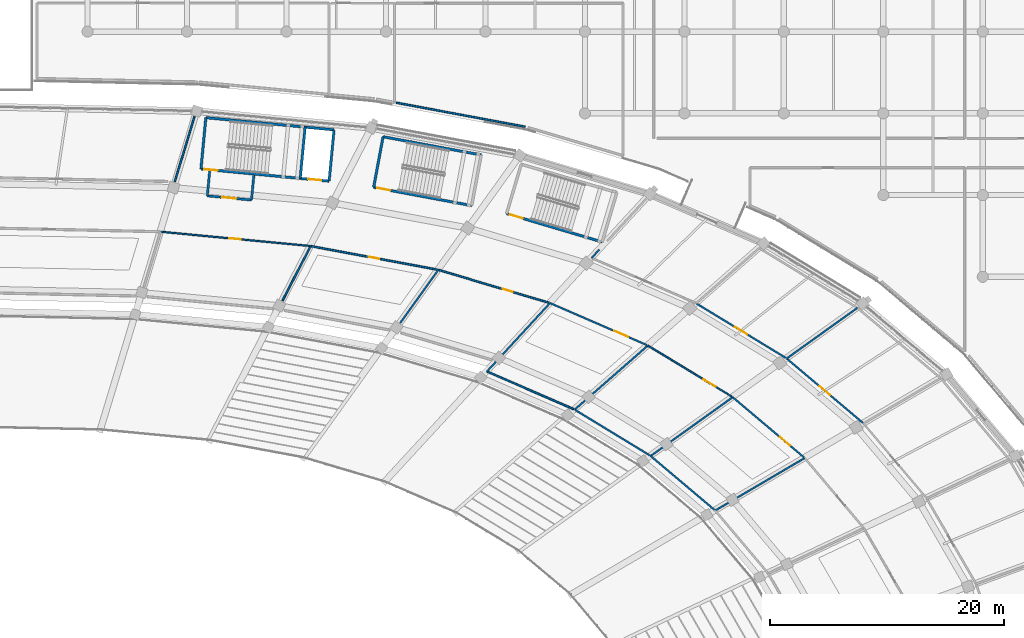
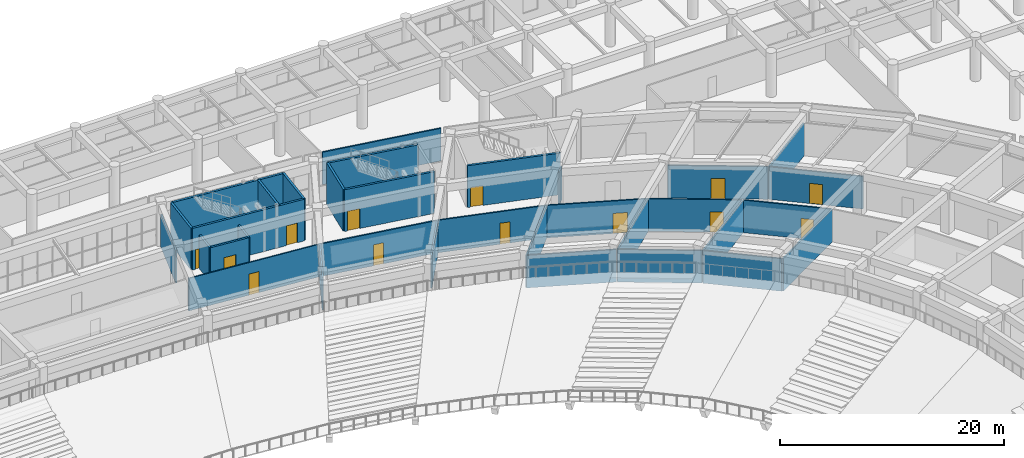
# One storey, part 114 of 152: 33 walls, 13 doors, 13 openings.
"""IFC4 building model written with IfcOpenShell, lengths in metres."""

from ifc_helpers import new_model, si_unit, direction, frame, frame_2d, origin, place, context, subcontext, project, spatial, rectangle, extrude, material, layer, layer_set, type_object, element, fill, save


model = new_model("IFC4")

# Units and contexts
model_context = context("Model", 3, precision=1e-05, world=origin(), true_north=direction((0.0, 1.0)))
body_context = subcontext(model_context, "Body", "Model", "MODEL_VIEW")
ifc_project = project(units=[si_unit("LENGTHUNIT", "METRE"), si_unit("AREAUNIT", "SQUARE_METRE"), si_unit("VOLUMEUNIT", "CUBIC_METRE"), si_unit("PLANEANGLEUNIT", "RADIAN"), si_unit("MASSUNIT", "GRAM", prefix="KILO")], contexts=[model_context])

# Site, building, storey
site_placement = place(None, origin())
site = spatial("IfcSite", under=ifc_project, at=site_placement, CompositionType="ELEMENT")
building_placement = place(site_placement, origin())
building = spatial("IfcBuilding", under=site, at=building_placement, Name="Mphavela Belvedere Stadium", CompositionType="ELEMENT")
storey_placement = place(building_placement, frame((0.0, 0.0, 5.39990234375)))
storey = spatial("IfcBuildingStorey", under=building, at=storey_placement, Name="L01", CompositionType="ELEMENT", Elevation=5.39990234375)

# Walls
ifc_material_1 = material(Name="Concrete C40/50", Category="concrete")
ifc_layer_1 = layer(ifc_material_1, 0.219970703125)
ifc_layer_set_1 = layer_set([ifc_layer_1], Name="Concrete C40/50")
wall_type_1 = type_object("IfcWallType", Name="WAL-CORE-SHEAR-220", PredefinedType="SHEAR", material=ifc_layer_set_1)
wall_1_placement = place(storey_placement, frame((137.908935546875, 159.633544921875, 0.0), z_axis=(0.0, 0.0, 1.0), x_axis=(0.99547962713, -0.094975322952, 0.0)))
element("IfcWall", 1, at=wall_1_placement, inside=storey, type_object=wall_type_1, Name="Core C03 shear wall L01 rear", PredefinedType="SHEAR", context=body_context, shape_type="SweptSolid", body=[
    extrude(rectangle(XDim=11.02001953125, YDim=0.219970703125, at=frame_2d((5.510009765625, 0.0))), origin(), (0.0, 0.0, 1.0), 4.550048828125),
])
wall_2_placement = place(storey_placement, frame((137.489990234375, 155.243408203125, 0.0), z_axis=(0.0, 0.0, 1.0), x_axis=(0.094997189401, 0.995477540684, 0.0)))
element("IfcWall", 2, at=wall_2_placement, inside=storey, type_object=wall_type_1, Name="Core C03 shear wall L01 left", PredefinedType="SHEAR", context=body_context, shape_type="SweptSolid", body=[
    extrude(rectangle(XDim=4.41015625, YDim=0.219970703125, at=frame_2d((2.205078125, 0.0))), origin(), (0.0, 0.0, 1.0), 4.550048828125),
])
wall_3_placement = place(storey_placement, frame((148.460205078125, 154.197021484375, 0.0), z_axis=(0.0, 0.0, 1.0), x_axis=(0.095002424918, 0.995477041051, 0.0)))
element("IfcWall", 3, at=wall_3_placement, inside=storey, type_object=wall_type_1, Name="Core C03 shear wall L01 right", PredefinedType="SHEAR", context=body_context, shape_type="SweptSolid", body=[
    extrude(rectangle(XDim=4.409912109375, YDim=0.219970703125, at=frame_2d((2.205078125, 0.0))), origin(), (0.0, 0.0, 1.0), 4.550048828125),
])

# Wall, openings, doors
wall_4_placement = place(storey_placement, frame((137.489990234375, 155.243408203125, 0.0), z_axis=(0.0, 0.0, 1.0), x_axis=(0.995481721489, -0.094953368458, 0.0)))
wall_4 = element("IfcWall", 4, at=wall_4_placement, inside=storey, type_object=wall_type_1, Name="Core C03 shear wall L01 front", PredefinedType="SHEAR", context=body_context, shape_type="SweptSolid", body=[
    extrude(rectangle(XDim=11.02001953125, YDim=0.219970703125, at=frame_2d((5.510009765625, 0.0))), origin(), (0.0, 0.0, 1.0), 4.550048828125),
])
opening_1_placement = place(wall_4_placement, frame((0.300048828125, 0.0, 0.0)))
opening_1 = element("IfcOpeningElement", 5, at=opening_1_placement, cuts=wall_4, Name="Opening SD-012", PredefinedType="OPENING", context=body_context, shape_type="SweptSolid", body=[
    extrude(rectangle(XDim=1.14990234375, YDim=2.14990234375, at=frame_2d((0.574951171875, 1.074951171875))), frame((0.0, 0.1201171875, 0.0), z_axis=(0.0, -1.0, 0.0), x_axis=(1.0, 0.0, 0.0)), (0.0, 0.0, 1.0), 0.239990234375),
])
opening_2_placement = place(wall_4_placement, frame((9.22998046875, 0.0, 0.0)))
opening_2 = element("IfcOpeningElement", 6, at=opening_2_placement, cuts=wall_4, Name="Opening LD-012", PredefinedType="OPENING", context=body_context, shape_type="SweptSolid", body=[
    extrude(rectangle(XDim=1.10009765625, YDim=2.14990234375, at=frame_2d((0.550048828125, 1.074951171875))), frame((0.0, 0.1201171875, 0.0), z_axis=(0.0, -1.0, 0.0), x_axis=(1.0, 0.0, 0.0)), (0.0, 0.0, 1.0), 0.239990234375),
])
ifc_material_2 = material(Name="Stainless steel center-parting lift landing door", Category="steel")
door_type_1 = type_object("IfcDoorType", Name="DR-LIFT-SLIDE-1100", OperationType="NOTDEFINED", PredefinedType="DOOR", material=ifc_material_2)
door_1_placement = place(opening_2_placement, origin())
door_1 = element("IfcDoor", 7, at=door_1_placement, inside=storey, type_object=door_type_1, Name="Lift landing sliding door FL02 L01", OperationType="DOUBLE_DOOR_SLIDING", OverallHeight=2.14990234375, OverallWidth=1.10009765625, PredefinedType="DOOR", context=body_context, shape_type="SweptSolid", body=[
    extrude(rectangle(XDim=1.10009765625, YDim=2.14990234375, at=frame_2d((0.550048828125, 1.074951171875))), frame((0.0, 0.02490234375, 0.0), z_axis=(0.0, -1.0, 0.0), x_axis=(1.0, 0.0, 0.0)), (0.0, 0.0, 1.0), 0.050048828125),
])
fill(opening_2, door_1)
ifc_material_3 = material(Name="Steel acoustic fire-resisting stair doorset", Category="steel")
door_type_2 = type_object("IfcDoorType", Name="DR-STAIR-FIRE-1150", OperationType="NOTDEFINED", PredefinedType="DOOR", material=ifc_material_3)
door_2_placement = place(opening_1_placement, origin())
door_2 = element("IfcDoor", 8, at=door_2_placement, inside=storey, type_object=door_type_2, Name="Escape stair fire door C03 L01", OperationType="SINGLE_SWING_RIGHT", OverallHeight=2.14990234375, OverallWidth=1.14990234375, PredefinedType="DOOR", context=body_context, shape_type="SweptSolid", body=[
    extrude(rectangle(XDim=1.14990234375, YDim=2.14990234375, at=frame_2d((0.574951171875, 1.074951171875))), frame((0.0, 0.02490234375, 0.0), z_axis=(0.0, -1.0, 0.0), x_axis=(1.0, 0.0, 0.0)), (0.0, 0.0, 1.0), 0.050048828125),
])
fill(opening_1, door_2)

# Wall
wall_5_placement = place(storey_placement, frame((145.991455078125, 154.432373046875, 0.0), z_axis=(0.0, 0.0, 1.0), x_axis=(0.094997189401, 0.995477540684, 0.0)))
element("IfcWall", 9, at=wall_5_placement, inside=storey, type_object=wall_type_1, Name="Core C03 shear wall L01 div", PredefinedType="SHEAR", context=body_context, shape_type="SweptSolid", body=[
    extrude(rectangle(XDim=4.41015625, YDim=0.219970703125, at=frame_2d((2.205078125, 0.0))), origin(), (0.0, 0.0, 1.0), 4.550048828125),
])

# Wall, opening, door
wall_6_placement = place(storey_placement, frame((163.6630859375, 151.416015625, 0.0), z_axis=(0.0, 0.0, 1.0), x_axis=(0.958665631999, -0.284535069937, 0.0)))
wall_6 = element("IfcWall", 10, at=wall_6_placement, inside=storey, type_object=wall_type_1, Name="Core P01 shear wall L01 front", PredefinedType="SHEAR", context=body_context, shape_type="SweptSolid", body=[
    extrude(rectangle(XDim=8.5400390625, YDim=0.219970703125, at=frame_2d((4.27001953125, 0.0))), origin(), (0.0, 0.0, 1.0), 4.550048828125),
])
opening_3_placement = place(wall_6_placement, frame((0.300048828125, 0.0, 0.0)))
opening_3 = element("IfcOpeningElement", 11, at=opening_3_placement, cuts=wall_6, Name="Opening SD-068", PredefinedType="OPENING", context=body_context, shape_type="SweptSolid", body=[
    extrude(rectangle(XDim=1.14990234375, YDim=2.14990234375, at=frame_2d((0.574951171875, 1.074951171875))), frame((0.0, 0.1201171875, 0.0), z_axis=(0.0, -1.0, 0.0), x_axis=(1.0, 0.0, 0.0)), (0.0, 0.0, 1.0), 0.239990234375),
])
door_3_placement = place(opening_3_placement, origin())
door_3 = element("IfcDoor", 12, at=door_3_placement, inside=storey, type_object=door_type_2, Name="Escape stair fire door P01 L01", OperationType="SINGLE_SWING_RIGHT", OverallHeight=2.14990234375, OverallWidth=1.14990234375, PredefinedType="DOOR", context=body_context, shape_type="SweptSolid", body=[
    extrude(rectangle(XDim=1.14990234375, YDim=2.14990234375, at=frame_2d((0.574951171875, 1.074951171875))), frame((0.0, 0.02490234375, 0.0), z_axis=(0.0, -1.0, 0.0), x_axis=(1.0, 0.0, 0.0)), (0.0, 0.0, 1.0), 0.050048828125),
])
fill(opening_3, door_3)

# Walls
wall_7_placement = place(storey_placement, frame((153.0859375, 158.00146484375, 0.0), z_axis=(0.0, 0.0, 1.0), x_axis=(0.983097993869, -0.18308013123, 0.0)))
element("IfcWall", 13, at=wall_7_placement, inside=storey, type_object=wall_type_1, Name="Core P02 shear wall L01 rear", PredefinedType="SHEAR", context=body_context, shape_type="SweptSolid", body=[
    extrude(rectangle(XDim=8.539794921875, YDim=0.219970703125, at=frame_2d((4.27001953125, 0.0))), origin(), (0.0, 0.0, 1.0), 4.550048828125),
])
wall_8_placement = place(storey_placement, frame((152.278564453125, 153.666015625, 0.0), z_axis=(0.0, 0.0, 1.0), x_axis=(0.183078394814, 0.983098317236, 0.0)))
element("IfcWall", 14, at=wall_8_placement, inside=storey, type_object=wall_type_1, Name="Core P02 shear wall L01 left", PredefinedType="SHEAR", context=body_context, shape_type="SweptSolid", body=[
    extrude(rectangle(XDim=4.409912109375, YDim=0.219970703125, at=frame_2d((2.205078125, 0.0))), origin(), (0.0, 0.0, 1.0), 4.550048828125),
])

# Wall, opening, door
wall_9_placement = place(storey_placement, frame((152.278564453125, 153.666015625, 0.0), z_axis=(0.0, 0.0, 1.0), x_axis=(0.983097993869, -0.18308013123, 0.0)))
wall_9 = element("IfcWall", 15, at=wall_9_placement, inside=storey, type_object=wall_type_1, Name="Core P02 shear wall L01 front", PredefinedType="SHEAR", context=body_context, shape_type="SweptSolid", body=[
    extrude(rectangle(XDim=8.539794921875, YDim=0.219970703125, at=frame_2d((4.27001953125, 0.0))), origin(), (0.0, 0.0, 1.0), 4.550048828125),
])
opening_4_placement = place(wall_9_placement, frame((0.300048828125, 0.0, 0.0)))
opening_4 = element("IfcOpeningElement", 16, at=opening_4_placement, cuts=wall_9, Name="Opening SD-073", PredefinedType="OPENING", context=body_context, shape_type="SweptSolid", body=[
    extrude(rectangle(XDim=1.14990234375, YDim=2.14990234375, at=frame_2d((0.574951171875, 1.074951171875))), frame((0.0, 0.1201171875, 0.0), z_axis=(0.0, -1.0, 0.0), x_axis=(1.0, 0.0, 0.0)), (0.0, 0.0, 1.0), 0.239990234375),
])
door_4_placement = place(opening_4_placement, origin())
door_4 = element("IfcDoor", 17, at=door_4_placement, inside=storey, type_object=door_type_2, Name="Escape stair fire door P02 L01", OperationType="SINGLE_SWING_LEFT", OverallHeight=2.14990234375, OverallWidth=1.14990234375, PredefinedType="DOOR", context=body_context, shape_type="SweptSolid", body=[
    extrude(rectangle(XDim=1.14990234375, YDim=2.14990234375, at=frame_2d((0.574951171875, 1.074951171875))), frame((0.0, 0.02490234375, 0.0), z_axis=(0.0, -1.0, 0.0), x_axis=(1.0, 0.0, 0.0)), (0.0, 0.0, 1.0), 0.050048828125),
])
fill(opening_4, door_4)

ifc_material_4 = material(Name="Moisture-resistant sanitary partition assembly")
ifc_layer_2 = layer(ifc_material_4, 0.125)
ifc_layer_set_2 = layer_set([ifc_layer_2], Name="Moisture-resistant sanitary partition assembly")
wall_type_2 = type_object("IfcWallType", Name="WAL-PART-125", PredefinedType="PARTITIONING", material=ifc_layer_set_2)
wall_10_placement = place(storey_placement, frame((175.762939453125, 140.115966796875, 0.0), z_axis=(0.0, 0.0, 1.0), x_axis=(0.854330104408, -0.519730769439, 0.0)))
wall_10 = element("IfcWall", 18, at=wall_10_placement, inside=storey, type_object=wall_type_2, Name="Room L01-51 corridor partition", PredefinedType="PARTITIONING", context=body_context, shape_type="SweptSolid", body=[
    extrude(rectangle(XDim=8.420166015625, YDim=0.125, at=frame_2d((4.2099609375, 0.0))), origin(), (0.0, 0.0, 1.0), 3.550048828125),
])
opening_5_placement = place(wall_10_placement, frame((5.568115234375, 0.0, 0.0)))
opening_5 = element("IfcOpeningElement", 19, at=opening_5_placement, cuts=wall_10, Name="Opening ID-093", PredefinedType="OPENING", context=body_context, shape_type="SweptSolid", body=[
    extrude(rectangle(XDim=1.219970703125, YDim=2.199951171875, at=frame_2d((0.60986328125, 1.10009765625))), frame((0.0, 0.072509765625, 0.0), z_axis=(0.0, -1.0, 0.0), x_axis=(1.0, 0.0, 0.0)), (0.0, 0.0, 1.0), 0.14501953125),
])
ifc_material_5 = material(Name="Hardwood acoustic timber doorset", Category="wood")
door_type_3 = type_object("IfcDoorType", Name="DR-INT-21", OperationType="NOTDEFINED", PredefinedType="DOOR", material=ifc_material_5)
door_5_placement = place(opening_5_placement, origin())
door_5 = element("IfcDoor", 20, at=door_5_placement, inside=storey, type_object=door_type_3, Name="Room L01-51 entrance door ID-093", OperationType="SINGLE_SWING_LEFT", OverallHeight=2.199951171875, OverallWidth=1.219970703125, PredefinedType="DOOR", context=body_context, shape_type="SweptSolid", body=[
    extrude(rectangle(XDim=1.219970703125, YDim=2.199951171875, at=frame_2d((0.60986328125, 1.10009765625))), frame((0.0, 0.02490234375, 0.0), z_axis=(0.0, -1.0, 0.0), x_axis=(1.0, 0.0, 0.0)), (0.0, 0.0, 1.0), 0.050048828125),
])
fill(opening_5, door_5)

wall_11_placement = place(storey_placement, frame((134.034912109375, 149.8623046875, 0.0), z_axis=(0.0, 0.0, 1.0), x_axis=(0.995485111947, -0.094917816515, 0.0)))
wall_11 = element("IfcWall", 21, at=wall_11_placement, inside=storey, type_object=wall_type_2, Name="Room L01-61 corridor partition", PredefinedType="PARTITIONING", context=body_context, shape_type="SweptSolid", body=[
    extrude(rectangle(XDim=12.822021484375, YDim=0.125, at=frame_2d((6.4111328125, 0.0))), origin(), (0.0, 0.0, 1.0), 3.550048828125),
])
opening_6_placement = place(wall_11_placement, frame((5.9208984375, 0.0, 0.0)))
opening_6 = element("IfcOpeningElement", 22, at=opening_6_placement, cuts=wall_11, Name="Opening ID-099", PredefinedType="OPENING", context=body_context, shape_type="SweptSolid", body=[
    extrude(rectangle(XDim=0.97998046875, YDim=2.300048828125, at=frame_2d((0.489990234375, 1.14990234375))), frame((0.0, 0.072509765625, 0.0), z_axis=(0.0, -1.0, 0.0), x_axis=(1.0, 0.0, 0.0)), (0.0, 0.0, 1.0), 0.14501953125),
])
ifc_material_6 = material(Name="Hardwood acoustic timber doorset", Category="wood")
door_type_4 = type_object("IfcDoorType", Name="DR-INT-27", OperationType="NOTDEFINED", PredefinedType="DOOR", material=ifc_material_6)
door_6_placement = place(opening_6_placement, origin())
door_6 = element("IfcDoor", 23, at=door_6_placement, inside=storey, type_object=door_type_4, Name="Room L01-61 entrance door ID-099", OperationType="SINGLE_SWING_LEFT", OverallHeight=2.300048828125, OverallWidth=0.97998046875, PredefinedType="DOOR", context=body_context, shape_type="SweptSolid", body=[
    extrude(rectangle(XDim=0.97998046875, YDim=2.300048828125, at=frame_2d((0.489990234375, 1.14990234375))), frame((0.0, 0.02490234375, 0.0), z_axis=(0.0, -1.0, 0.0), x_axis=(1.0, 0.0, 0.0)), (0.0, 0.0, 1.0), 0.050048828125),
])
fill(opening_6, door_6)

ifc_material_7 = material(Name="Acoustic gypsum stud partition assembly")
ifc_layer_3 = layer(ifc_material_7, 0.14990234375)
ifc_layer_set_3 = layer_set([ifc_layer_3], Name="Acoustic gypsum stud partition assembly")
wall_type_3 = type_object("IfcWallType", Name="WAL-PART-150", PredefinedType="PARTITIONING", material=ifc_layer_set_3)
wall_12_placement = place(storey_placement, frame((183.027099609375, 135.69189453125, 0.0), z_axis=(0.0, 0.0, 1.0), x_axis=(0.764249122867, -0.644921141068, 0.0)))
wall_12 = element("IfcWall", 24, at=wall_12_placement, inside=storey, type_object=wall_type_3, Name="Room L01-48 corridor partition", PredefinedType="PARTITIONING", context=body_context, shape_type="SweptSolid", body=[
    extrude(rectangle(XDim=7.989501953125, YDim=0.14990234375, at=frame_2d((3.99462890625, 0.0))), origin(), (0.0, 0.0, 1.0), 3.550048828125),
])
opening_7_placement = place(wall_12_placement, frame((5.28759765625, 0.0, 0.0)))
opening_7 = element("IfcOpeningElement", 25, at=opening_7_placement, cuts=wall_12, Name="Opening ID-091", PredefinedType="OPENING", context=body_context, shape_type="SweptSolid", body=[
    extrude(rectangle(XDim=1.139892578125, YDim=2.199951171875, at=frame_2d((0.56982421875, 1.10009765625))), frame((0.0, 0.0849609375, 0.0), z_axis=(0.0, -1.0, 0.0), x_axis=(1.0, 0.0, 0.0)), (0.0, 0.0, 1.0), 0.169921875),
])
ifc_material_8 = material(Name="Hardwood acoustic timber doorset", Category="wood")
door_type_5 = type_object("IfcDoorType", Name="DR-INT-19", OperationType="NOTDEFINED", PredefinedType="DOOR", material=ifc_material_8)
door_7_placement = place(opening_7_placement, origin())
door_7 = element("IfcDoor", 26, at=door_7_placement, inside=storey, type_object=door_type_5, Name="Room L01-48 entrance door ID-091", OperationType="SINGLE_SWING_LEFT", OverallHeight=2.199951171875, OverallWidth=1.139892578125, PredefinedType="DOOR", context=body_context, shape_type="SweptSolid", body=[
    extrude(rectangle(XDim=1.139892578125, YDim=2.199951171875, at=frame_2d((0.56982421875, 1.10009765625))), frame((0.0, 0.02490234375, 0.0), z_axis=(0.0, -1.0, 0.0), x_axis=(1.0, 0.0, 0.0)), (0.0, 0.0, 1.0), 0.050048828125),
])
fill(opening_7, door_7)

wall_13_placement = place(storey_placement, frame((194.1748046875, 133.4970703125, 0.0), z_axis=(0.0, 0.0, 1.0), x_axis=(-0.764257572309, 0.644911128117, 0.0)))
wall_13 = element("IfcWall", 27, at=wall_13_placement, inside=storey, type_object=wall_type_3, Name="Room L01-49 corridor partition", PredefinedType="PARTITIONING", context=body_context, shape_type="SweptSolid", body=[
    extrude(rectangle(XDim=8.53857421875, YDim=0.14990234375, at=frame_2d((4.269287109375, 0.0))), origin(), (0.0, 0.0, 1.0), 3.550048828125),
])
opening_8_placement = place(wall_13_placement, frame((3.67919921875, 0.0, 0.0)))
opening_8 = element("IfcOpeningElement", 28, at=opening_8_placement, cuts=wall_13, Name="Opening ID-092", PredefinedType="OPENING", context=body_context, shape_type="SweptSolid", body=[
    extrude(rectangle(XDim=1.179931640625, YDim=2.199951171875, at=frame_2d((0.58984375, 1.10009765625))), frame((0.0, 0.0849609375, 0.0), z_axis=(0.0, -1.0, 0.0), x_axis=(1.0, 0.0, 0.0)), (0.0, 0.0, 1.0), 0.169921875),
])
ifc_material_9 = material(Name="Hardwood acoustic timber doorset", Category="wood")
door_type_6 = type_object("IfcDoorType", Name="DR-INT-20", OperationType="NOTDEFINED", PredefinedType="DOOR", material=ifc_material_9)
door_8_placement = place(opening_8_placement, origin())
door_8 = element("IfcDoor", 29, at=door_8_placement, inside=storey, type_object=door_type_6, Name="Room L01-49 entrance door ID-092", OperationType="SINGLE_SWING_RIGHT", OverallHeight=2.199951171875, OverallWidth=1.179931640625, PredefinedType="DOOR", context=body_context, shape_type="SweptSolid", body=[
    extrude(rectangle(XDim=1.179931640625, YDim=2.199951171875, at=frame_2d((0.58984375, 1.10009765625))), frame((0.0, 0.02490234375, 0.0), z_axis=(0.0, -1.0, 0.0), x_axis=(1.0, 0.0, 0.0)), (0.0, 0.0, 1.0), 0.050048828125),
])
fill(opening_8, door_8)

wall_14_placement = place(storey_placement, frame((187.582275390625, 139.05419921875, 0.0), z_axis=(0.0, 0.0, 1.0), x_axis=(-0.854321649351, 0.519744667554, 0.0)))
wall_14 = element("IfcWall", 30, at=wall_14_placement, inside=storey, type_object=wall_type_3, Name="Room L01-52 corridor partition", PredefinedType="PARTITIONING", context=body_context, shape_type="SweptSolid", body=[
    extrude(rectangle(XDim=8.99853515625, YDim=0.14990234375, at=frame_2d((4.499267578125, 0.0))), origin(), (0.0, 0.0, 1.0), 3.550048828125),
])
opening_9_placement = place(wall_14_placement, frame((3.869384765625, 0.0, 0.0)))
opening_9 = element("IfcOpeningElement", 31, at=opening_9_placement, cuts=wall_14, Name="Opening ID-094", PredefinedType="OPENING", context=body_context, shape_type="SweptSolid", body=[
    extrude(rectangle(XDim=1.260009765625, YDim=2.199951171875, at=frame_2d((0.6298828125, 1.10009765625))), frame((0.0, 0.0849609375, 0.0), z_axis=(0.0, -1.0, 0.0), x_axis=(1.0, 0.0, 0.0)), (0.0, 0.0, 1.0), 0.169921875),
])
ifc_material_10 = material(Name="Hardwood acoustic timber doorset", Category="wood")
door_type_7 = type_object("IfcDoorType", Name="DR-INT-22", OperationType="NOTDEFINED", PredefinedType="DOOR", material=ifc_material_10)
door_9_placement = place(opening_9_placement, origin())
door_9 = element("IfcDoor", 32, at=door_9_placement, inside=storey, type_object=door_type_7, Name="Room L01-52 entrance door ID-094", OperationType="SINGLE_SWING_RIGHT", OverallHeight=2.199951171875, OverallWidth=1.260009765625, PredefinedType="DOOR", context=body_context, shape_type="SweptSolid", body=[
    extrude(rectangle(XDim=1.260009765625, YDim=2.199951171875, at=frame_2d((0.6298828125, 1.10009765625))), frame((0.0, 0.02490234375, 0.0), z_axis=(0.0, -1.0, 0.0), x_axis=(1.0, 0.0, 0.0)), (0.0, 0.0, 1.0), 0.050048828125),
])
fill(opening_9, door_9)

wall_15_placement = place(storey_placement, frame((167.382080078125, 143.753173828125, 0.0), z_axis=(0.0, 0.0, 1.0), x_axis=(0.917494590455, -0.397748257677, 0.0)))
wall_15 = element("IfcWall", 33, at=wall_15_placement, inside=storey, type_object=wall_type_3, Name="Room L01-54 corridor partition", PredefinedType="PARTITIONING", context=body_context, shape_type="SweptSolid", body=[
    extrude(rectangle(XDim=9.04931640625, YDim=0.14990234375, at=frame_2d((4.524658203125, 0.0))), origin(), (0.0, 0.0, 1.0), 3.550048828125),
])
opening_10_placement = place(wall_15_placement, frame((5.991455078125, 0.0, 0.0)))
opening_10 = element("IfcOpeningElement", 34, at=opening_10_placement, cuts=wall_15, Name="Opening ID-095", PredefinedType="OPENING", context=body_context, shape_type="SweptSolid", body=[
    extrude(rectangle(XDim=1.320068359375, YDim=2.199951171875, at=frame_2d((0.66015625, 1.10009765625))), frame((0.0, 0.0849609375, 0.0), z_axis=(0.0, -1.0, 0.0), x_axis=(1.0, 0.0, 0.0)), (0.0, 0.0, 1.0), 0.169921875),
])
ifc_material_11 = material(Name="Hardwood acoustic timber doorset", Category="wood")
door_type_8 = type_object("IfcDoorType", Name="DR-INT-23", OperationType="NOTDEFINED", PredefinedType="DOOR", material=ifc_material_11)
door_10_placement = place(opening_10_placement, origin())
door_10 = element("IfcDoor", 35, at=door_10_placement, inside=storey, type_object=door_type_8, Name="Room L01-54 entrance door ID-095", OperationType="SINGLE_SWING_LEFT", OverallHeight=2.199951171875, OverallWidth=1.320068359375, PredefinedType="DOOR", context=body_context, shape_type="SweptSolid", body=[
    extrude(rectangle(XDim=1.320068359375, YDim=2.199951171875, at=frame_2d((0.66015625, 1.10009765625))), frame((0.0, 0.02490234375, 0.0), z_axis=(0.0, -1.0, 0.0), x_axis=(1.0, 0.0, 0.0)), (0.0, 0.0, 1.0), 0.050048828125),
])
fill(opening_10, door_10)

wall_16_placement = place(storey_placement, frame((157.816650390625, 146.595703125, 0.0), z_axis=(0.0, 0.0, 1.0), x_axis=(0.958655809656, -0.284568161629, 0.0)))
wall_16 = element("IfcWall", 36, at=wall_16_placement, inside=storey, type_object=wall_type_3, Name="Room L01-57 corridor partition", PredefinedType="PARTITIONING", context=body_context, shape_type="SweptSolid", body=[
    extrude(rectangle(XDim=9.89111328125, YDim=0.14990234375, at=frame_2d((4.945556640625, 0.0))), origin(), (0.0, 0.0, 1.0), 3.550048828125),
])
opening_11_placement = place(wall_16_placement, frame((5.748291015625, 0.0, 0.0)))
opening_11 = element("IfcOpeningElement", 37, at=opening_11_placement, cuts=wall_16, Name="Opening ID-097", PredefinedType="OPENING", context=body_context, shape_type="SweptSolid", body=[
    extrude(rectangle(XDim=0.89990234375, YDim=2.300048828125, at=frame_2d((0.449951171875, 1.14990234375))), frame((0.0, 0.0849609375, 0.0), z_axis=(0.0, -1.0, 0.0), x_axis=(1.0, 0.0, 0.0)), (0.0, 0.0, 1.0), 0.169921875),
])
ifc_material_12 = material(Name="Hardwood acoustic timber doorset", Category="wood")
door_type_9 = type_object("IfcDoorType", Name="DR-INT-25", OperationType="NOTDEFINED", PredefinedType="DOOR", material=ifc_material_12)
door_11_placement = place(opening_11_placement, origin())
door_11 = element("IfcDoor", 38, at=door_11_placement, inside=storey, type_object=door_type_9, Name="Room L01-57 entrance door ID-097", OperationType="SINGLE_SWING_LEFT", OverallHeight=2.300048828125, OverallWidth=0.89990234375, PredefinedType="DOOR", context=body_context, shape_type="SweptSolid", body=[
    extrude(rectangle(XDim=0.89990234375, YDim=2.300048828125, at=frame_2d((0.449951171875, 1.14990234375))), frame((0.0, 0.02490234375, 0.0), z_axis=(0.0, -1.0, 0.0), x_axis=(1.0, 0.0, 0.0)), (0.0, 0.0, 1.0), 0.050048828125),
])
fill(opening_11, door_11)

wall_17_placement = place(storey_placement, frame((146.883544921875, 148.634521484375, 0.0), z_axis=(0.0, 0.0, 1.0), x_axis=(0.983097372707, -0.183083466695, 0.0)))
wall_17 = element("IfcWall", 39, at=wall_17_placement, inside=storey, type_object=wall_type_3, Name="Room L01-59 corridor partition", PredefinedType="PARTITIONING", context=body_context, shape_type="SweptSolid", body=[
    extrude(rectangle(XDim=11.03466796875, YDim=0.14990234375, at=frame_2d((5.517333984375, 0.0))), origin(), (0.0, 0.0, 1.0), 3.550048828125),
])
opening_12_placement = place(wall_17_placement, frame((5.04736328125, 0.0, 0.0)))
opening_12 = element("IfcOpeningElement", 40, at=opening_12_placement, cuts=wall_17, Name="Opening ID-098", PredefinedType="OPENING", context=body_context, shape_type="SweptSolid", body=[
    extrude(rectangle(XDim=0.93994140625, YDim=2.300048828125, at=frame_2d((0.469970703125, 1.14990234375))), frame((0.0, 0.0849609375, 0.0), z_axis=(0.0, -1.0, 0.0), x_axis=(1.0, 0.0, 0.0)), (0.0, 0.0, 1.0), 0.169921875),
])
ifc_material_13 = material(Name="Hardwood acoustic timber doorset", Category="wood")
door_type_10 = type_object("IfcDoorType", Name="DR-INT-26", OperationType="NOTDEFINED", PredefinedType="DOOR", material=ifc_material_13)
door_12_placement = place(opening_12_placement, origin())
door_12 = element("IfcDoor", 41, at=door_12_placement, inside=storey, type_object=door_type_10, Name="Room L01-59 entrance door ID-098", OperationType="SINGLE_SWING_RIGHT", OverallHeight=2.300048828125, OverallWidth=0.93994140625, PredefinedType="DOOR", context=body_context, shape_type="SweptSolid", body=[
    extrude(rectangle(XDim=0.93994140625, YDim=2.300048828125, at=frame_2d((0.469970703125, 1.14990234375))), frame((0.0, 0.02490234375, 0.0), z_axis=(0.0, -1.0, 0.0), x_axis=(1.0, 0.0, 0.0)), (0.0, 0.0, 1.0), 0.050048828125),
])
fill(opening_12, door_12)

# Walls
wall_18_placement = place(storey_placement, frame((181.525390625, 125.983154296875, 0.0), z_axis=(0.0, 0.0, 1.0), x_axis=(0.862518193496, 0.506026052579, 0.0)))
element("IfcWall", 42, at=wall_18_placement, inside=storey, type_object=wall_type_3, Name="Room divider partition L01-0154", PredefinedType="PARTITIONING", context=body_context, shape_type="SweptSolid", body=[
    extrude(rectangle(XDim=8.889892578125, YDim=0.14990234375, at=frame_2d((4.44482421875, 0.0))), origin(), (0.0, 0.0, 1.0), 3.550048828125),
])
wall_19_placement = place(storey_placement, frame((181.468505859375, 126.04248046875, 0.0), z_axis=(0.0, 0.0, 1.0), x_axis=(-0.764260476561, 0.644907686391, 0.0)))
element("IfcWall", 43, at=wall_19_placement, inside=storey, type_object=wall_type_3, Name="Room divider partition L01-0157", PredefinedType="PARTITIONING", context=body_context, shape_type="SweptSolid", body=[
    extrude(rectangle(XDim=7.1552734375, YDim=0.14990234375, at=frame_2d((3.57763671875, 0.0))), origin(), (0.0, 0.0, 1.0), 3.550048828125),
])
wall_20_placement = place(storey_placement, frame((176.0, 130.656982421875, 0.0), z_axis=(0.0, 0.0, 1.0), x_axis=(0.812881530735, 0.582429066058, 0.0)))
element("IfcWall", 44, at=wall_20_placement, inside=storey, type_object=wall_type_3, Name="Room divider partition L01-0158", PredefinedType="PARTITIONING", context=body_context, shape_type="SweptSolid", body=[
    extrude(rectangle(XDim=8.644775390625, YDim=0.14990234375, at=frame_2d((4.322265625, 0.0))), origin(), (0.0, 0.0, 1.0), 3.550048828125),
])
wall_21_placement = place(storey_placement, frame((187.649169921875, 139.003662109375, 0.0), z_axis=(0.0, 0.0, 1.0), x_axis=(0.812884613266, 0.582424763824, 0.0)))
element("IfcWall", 45, at=wall_21_placement, inside=storey, type_object=wall_type_3, Name="Room divider partition L01-0159", PredefinedType="PARTITIONING", context=body_context, shape_type="SweptSolid", body=[
    extrude(rectangle(XDim=7.450439453125, YDim=0.14990234375, at=frame_2d((3.72509765625, 0.0))), origin(), (0.0, 0.0, 1.0), 3.550048828125),
])
wall_22_placement = place(storey_placement, frame((175.93310546875, 130.70751953125, 0.0), z_axis=(0.0, 0.0, 1.0), x_axis=(-0.854343551339, 0.519708664817, 0.0)))
element("IfcWall", 46, at=wall_22_placement, inside=storey, type_object=wall_type_3, Name="Room divider partition L01-0161", PredefinedType="PARTITIONING", context=body_context, shape_type="SweptSolid", body=[
    extrude(rectangle(XDim=7.54150390625, YDim=0.14990234375, at=frame_2d((3.770751953125, 0.0))), origin(), (0.0, 0.0, 1.0), 3.550048828125),
])
wall_23_placement = place(storey_placement, frame((169.489990234375, 134.626953125, 0.0), z_axis=(0.0, 0.0, 1.0), x_axis=(0.752565808221, 0.658517049359, 0.0)))
element("IfcWall", 47, at=wall_23_placement, inside=storey, type_object=wall_type_3, Name="Room divider partition L01-0162", PredefinedType="PARTITIONING", context=body_context, shape_type="SweptSolid", body=[
    extrude(rectangle(XDim=8.33544921875, YDim=0.14990234375, at=frame_2d((4.167724609375, 0.0))), origin(), (0.0, 0.0, 1.0), 3.550048828125),
])
wall_24_placement = place(storey_placement, frame((169.415283203125, 134.66796875, 0.0), z_axis=(0.0, 0.0, 1.0), x_axis=(-0.917496646276, 0.397743515436, 0.0)))
element("IfcWall", 48, at=wall_24_placement, inside=storey, type_object=wall_type_3, Name="Room divider partition L01-0165", PredefinedType="PARTITIONING", context=body_context, shape_type="SweptSolid", body=[
    extrude(rectangle(XDim=8.10595703125, YDim=0.14990234375, at=frame_2d((4.052978515625, 0.0))), origin(), (0.0, 0.0, 1.0), 3.550048828125),
])
wall_25_placement = place(storey_placement, frame((161.97802734375, 137.89208984375, 0.0), z_axis=(0.0, 0.0, 1.0), x_axis=(0.677861530409, 0.735189598397, 0.0)))
element("IfcWall", 49, at=wall_25_placement, inside=storey, type_object=wall_type_3, Name="Room divider partition L01-0166", PredefinedType="PARTITIONING", context=body_context, shape_type="SweptSolid", body=[
    extrude(rectangle(XDim=7.97216796875, YDim=0.14990234375, at=frame_2d((3.986083984375, 0.0))), origin(), (0.0, 0.0, 1.0), 3.550048828125),
])
wall_26_placement = place(storey_placement, frame((170.9462890625, 147.61865234375, 0.0), z_axis=(0.0, 0.0, 1.0), x_axis=(0.677781704722, 0.735263191479, 0.0)))
element("IfcWall", 50, at=wall_26_placement, inside=storey, type_object=wall_type_3, Name="Room divider partition L01-0168", PredefinedType="PARTITIONING", context=body_context, shape_type="SweptSolid", body=[
    extrude(rectangle(XDim=0.976806640625, YDim=0.14990234375, at=frame_2d((0.48828125, 0.0))), origin(), (0.0, 0.0, 1.0), 3.550048828125),
])
wall_27_placement = place(storey_placement, frame((154.55419921875, 142.04931640625, 0.0), z_axis=(0.0, 0.0, 1.0), x_axis=(0.583015574976, 0.812460977116, 0.0)))
element("IfcWall", 51, at=wall_27_placement, inside=storey, type_object=wall_type_3, Name="Room divider partition L01-0170", PredefinedType="PARTITIONING", context=body_context, shape_type="SweptSolid", body=[
    extrude(rectangle(XDim=5.595703125, YDim=0.14990234375, at=frame_2d((2.7978515625, 0.0))), origin(), (0.0, 0.0, 1.0), 3.550048828125),
])
wall_28_placement = place(storey_placement, frame((144.468505859375, 143.959716796875, 0.0), z_axis=(0.0, 0.0, 1.0), x_axis=(0.458978545616, 0.88844735053, 0.0)))
element("IfcWall", 52, at=wall_28_placement, inside=storey, type_object=wall_type_3, Name="Room divider partition L01-0172", PredefinedType="PARTITIONING", context=body_context, shape_type="SweptSolid", body=[
    extrude(rectangle(XDim=5.26171875, YDim=0.14990234375, at=frame_2d((2.630859375, 0.0))), origin(), (0.0, 0.0, 1.0), 3.550048828125),
])
wall_29_placement = place(storey_placement, frame((136.931640625, 159.726806640625, 0.0), z_axis=(0.0, 0.0, 1.0), x_axis=(-0.289195444178, -0.957270074256, 0.0)))
element("IfcWall", 53, at=wall_29_placement, inside=storey, type_object=wall_type_3, Name="Room divider partition L01-0178", PredefinedType="PARTITIONING", context=body_context, shape_type="SweptSolid", body=[
    extrude(rectangle(XDim=5.8173828125, YDim=0.14990234375, at=frame_2d((2.90869140625, 0.0))), origin(), (0.0, 0.0, 1.0), 3.550048828125),
])
wall_30_placement = place(storey_placement, frame((165.2587890625, 158.8544921875, 0.0), z_axis=(0.0, 0.0, 1.0), x_axis=(-0.983091639371, 0.183114250127, 0.0)))
element("IfcWall", 54, at=wall_30_placement, inside=storey, type_object=wall_type_3, Name="Room divider partition L01-0989", PredefinedType="PARTITIONING", context=body_context, shape_type="SweptSolid", body=[
    extrude(rectangle(XDim=11.223388671875, YDim=0.14990234375, at=frame_2d((5.61181640625, 0.0))), origin(), (0.0, 0.0, 1.0), 3.550048828125),
])

# Wall, opening, door
ifc_material_14 = material(Name="Fire-rated calcium silicate partition assembly")
ifc_layer_4 = layer(ifc_material_14, 0.199951171875)
ifc_layer_set_4 = layer_set([ifc_layer_4], Name="Fire-rated calcium silicate partition assembly")
wall_type_4 = type_object("IfcWallType", Name="WAL-PART-FF-200", PredefinedType="PARTITIONING", material=ifc_layer_set_4)
wall_31_placement = place(storey_placement, frame((138.033447265625, 152.9365234375, 0.0), z_axis=(0.0, 0.0, 1.0), x_axis=(0.995481022971, -0.094960691361, 0.0)))
wall_31 = element("IfcWall", 55, at=wall_31_placement, inside=storey, type_object=wall_type_4, Name="Firefighting lobby front wall C03 L01", PredefinedType="PARTITIONING", context=body_context, shape_type="SweptSolid", body=[
    extrude(rectangle(XDim=3.7998046875, YDim=0.199951171875, at=frame_2d((1.89990234375, 0.0))), origin(), (0.0, 0.0, 1.0), 3.650146484375),
])
opening_13_placement = place(wall_31_placement, frame((1.300048828125, 0.0, 0.0)))
opening_13 = element("IfcOpeningElement", 56, at=opening_13_placement, cuts=wall_31, Name="Opening FD-007", PredefinedType="OPENING", context=body_context, shape_type="SweptSolid", body=[
    extrude(rectangle(XDim=1.199951171875, YDim=2.179931640625, at=frame_2d((0.60009765625, 1.08984375))), frame((0.0, 0.10986328125, 0.0), z_axis=(0.0, -1.0, 0.0), x_axis=(1.0, 0.0, 0.0)), (0.0, 0.0, 1.0), 0.219970703125),
])
ifc_material_15 = material(Name="Steel smoke-sealed firefighting lobby doorset", Category="steel")
door_type_11 = type_object("IfcDoorType", Name="DR-FF-LOBBY-1200", OperationType="NOTDEFINED", PredefinedType="DOOR", material=ifc_material_15)
door_13_placement = place(opening_13_placement, origin())
door_13 = element("IfcDoor", 57, at=door_13_placement, inside=storey, type_object=door_type_11, Name="Firefighting lobby door C03 L01", OperationType="SINGLE_SWING_LEFT", OverallHeight=2.179931640625, OverallWidth=1.199951171875, PredefinedType="DOOR", context=body_context, shape_type="SweptSolid", body=[
    extrude(rectangle(XDim=1.199951171875, YDim=2.179931640625, at=frame_2d((0.60009765625, 1.08984375))), frame((0.0, 0.02490234375, 0.0), z_axis=(0.0, -1.0, 0.0), x_axis=(1.0, 0.0, 0.0)), (0.0, 0.0, 1.0), 0.050048828125),
])
fill(opening_13, door_13)

# Walls
for number, where, z_axis, x_axis, name in (
    (58, (138.033447265625, 152.9365234375, 0.0), (0.0, 0.0, 1.0), (0.095010174536, 0.995476301443, 0.0), "Firefighting lobby side wall L C03 L01"),
    (59, (141.816162109375, 152.57568359375, 0.0), (0.0, 0.0, 1.0), (0.095010174536, 0.995476301443, 0.0), "Firefighting lobby side wall R C03 L01"),
):
    element("IfcWall", number, at=place(storey_placement, frame(where, z_axis=z_axis, x_axis=x_axis)), inside=storey, type_object=wall_type_4, Name=name, PredefinedType="PARTITIONING", context=body_context, shape_type="SweptSolid", body=[
        extrude(rectangle(XDim=2.119873046875, YDim=0.199951171875, at=frame_2d((1.06005859375, 0.0))), origin(), (0.0, 0.0, 1.0), 3.650146484375),
    ])

save(model, "model.ifc")
